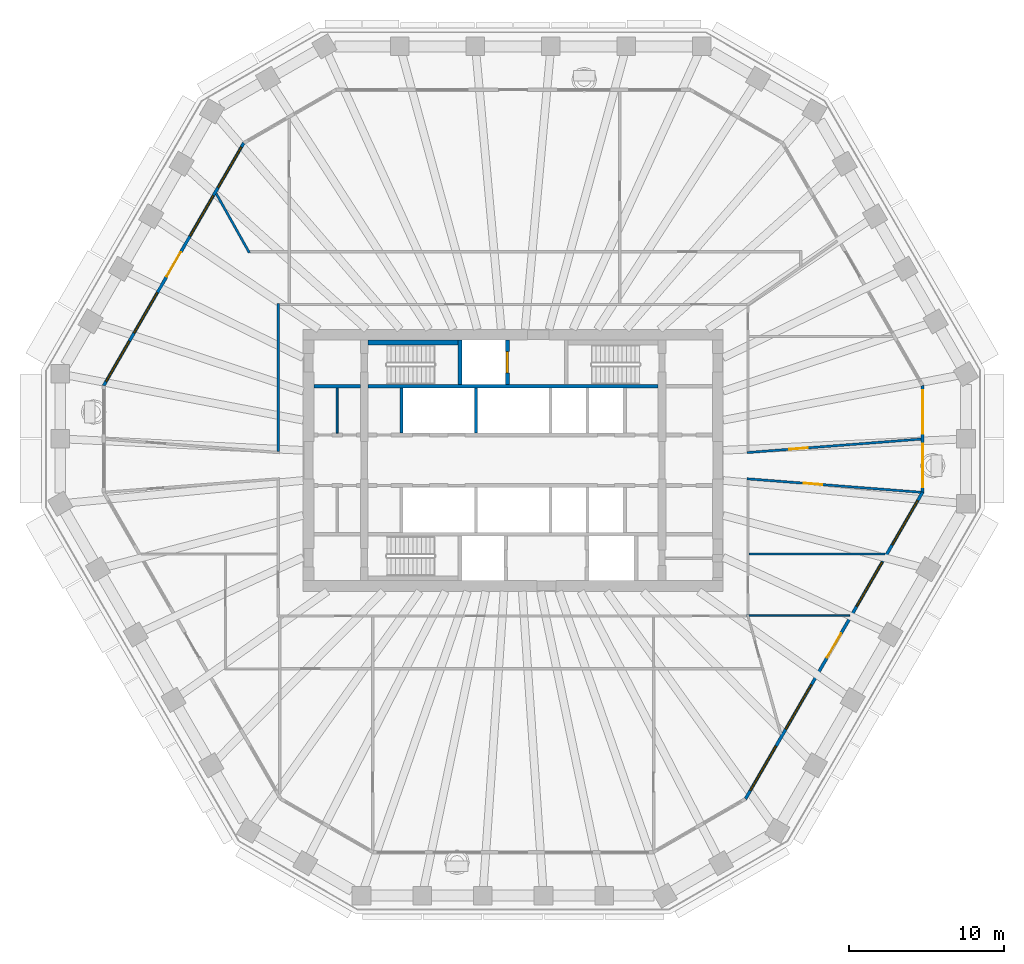
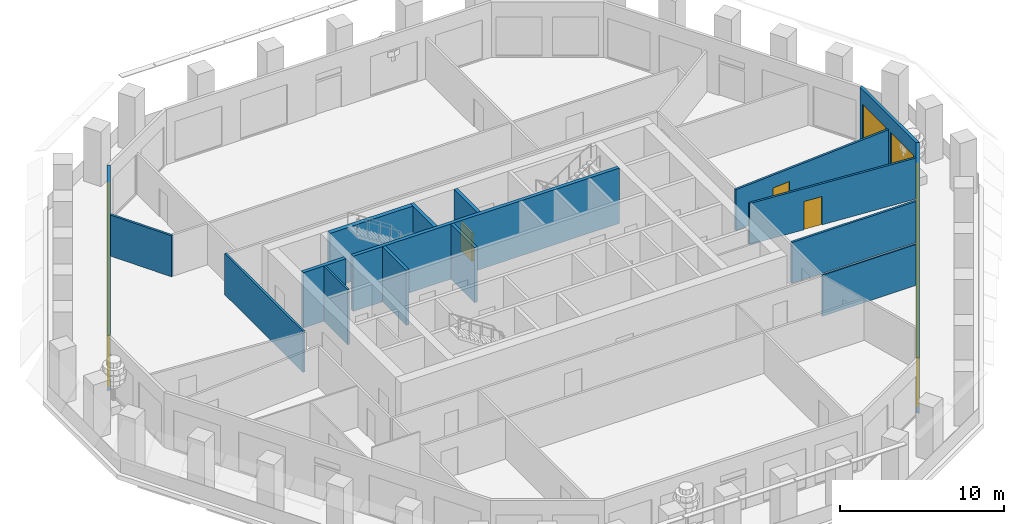
# One storey, part 6 of 12: 17 walls, 12 windows, 5 doors, 17 openings.
"""IFC4 building model written with IfcOpenShell, lengths in metres."""

from ifc_helpers import new_model, si_unit, direction, frame, frame_2d, origin, place, context, subcontext, project, spatial, polyline, rectangle, outline, extrude, material, layer, layer_set, type_object, element, fill, save


model = new_model("IFC4")

# Units and contexts
model_context = context("Model", 3, precision=1e-05, world=origin(), true_north=direction((0.0, 1.0)))
body_context = subcontext(model_context, "Body", "Model", "MODEL_VIEW")
ifc_project = project(units=[si_unit("LENGTHUNIT", "METRE"), si_unit("AREAUNIT", "SQUARE_METRE"), si_unit("VOLUMEUNIT", "CUBIC_METRE"), si_unit("PLANEANGLEUNIT", "RADIAN"), si_unit("MASSUNIT", "GRAM", prefix="KILO")], contexts=[model_context])

# Site, building, storey
site_placement = place(None, origin())
site = spatial("IfcSite", under=ifc_project, at=site_placement, CompositionType="ELEMENT")
building_placement = place(site_placement, origin())
building = spatial("IfcBuilding", under=site, at=building_placement, Name="Frailejon Research Tower", CompositionType="ELEMENT")
storey_placement = place(building_placement, frame((0.0, 0.0, 193.60009765625)))
storey = spatial("IfcBuildingStorey", under=building, at=storey_placement, Name="L42", CompositionType="ELEMENT", Elevation=193.60009765625)

# Walls
ifc_material_1 = material(Name="Plasterboard on steel studs", Category="steel")
ifc_layer_1 = layer(ifc_material_1, 0.125)
ifc_layer_set_1 = layer_set([ifc_layer_1], Name="Core partition 125")
wall_type_1 = type_object("IfcWallType", Name="Core partition 125", PredefinedType="PARTITIONING", material=ifc_layer_set_1)
wall_1_placement = place(storey_placement, frame((-11.35009765625, 1.75, 0.0), z_axis=(0.0, 0.0, 1.0), x_axis=(0.0, 1.0, 0.0)))
element("IfcWall", 1, at=wall_1_placement, inside=storey, type_object=wall_type_1, Name="Core partition", PredefinedType="PARTITIONING", context=body_context, shape_type="SweptSolid", body=[
    extrude(rectangle(XDim=2.89990234375, YDim=0.125, at=frame_2d((1.449951171875, 0.0))), origin(), (0.0, 0.0, 1.0), 4.099853515625),
])
ifc_material_2 = material(Name="Gypsum board and masonry partition", Category="masonry")
ifc_layer_2 = layer(ifc_material_2, 0.14990234375)
ifc_layer_set_2 = layer_set([ifc_layer_2], Name="Corridor wall EI 60, gypsum on steel studs 150")
wall_type_2 = type_object("IfcWallType", Name="Corridor wall EI 60, gypsum on steel studs 150", PredefinedType="PARTITIONING", material=ifc_layer_set_2)
wall_2_placement = place(storey_placement, frame((-15.14990234375, 0.57568359375, 0.0), z_axis=(0.0, 0.0, 1.0), x_axis=(0.0, 1.0, 0.0)))
element("IfcWall", 2, at=wall_2_placement, inside=storey, type_object=wall_type_2, Name="T:IW:L42:005", PredefinedType="PARTITIONING", context=body_context, shape_type="SweptSolid", body=[
    extrude(rectangle(XDim=9.54931640625, YDim=0.14990234375, at=frame_2d((4.774658203125, 0.0))), origin(), (0.0, 0.0, 1.0), 3.0498046875),
])

# Wall, opening, door
wall_3_placement = place(storey_placement, frame((15.0751953125, 0.494873046875, 0.0), z_axis=(0.0, 0.0, 1.0), x_axis=(0.996999820834, 0.077403858151, 0.0)))
wall_3 = element("IfcWall", 3, at=wall_3_placement, inside=storey, type_object=wall_type_2, Name="T:IW:L42:009", PredefinedType="PARTITIONING", context=body_context, shape_type="SweptSolid", body=[
    extrude(rectangle(XDim=11.26953125, YDim=0.14990234375, at=frame_2d((5.634765625, 0.0))), origin(), (0.0, 0.0, 1.0), 3.0498046875),
])
opening_1_placement = place(wall_3_placement, frame((2.748779296875, 0.0, 0.0)))
opening_1 = element("IfcOpeningElement", 4, at=opening_1_placement, cuts=wall_3, Name="Opening D1903", PredefinedType="OPENING", context=body_context, shape_type="SweptSolid", body=[
    extrude(rectangle(XDim=1.199951171875, YDim=2.10009765625, at=frame_2d((0.60009765625, 1.050048828125))), frame((0.0, 0.0849609375, 0.0), z_axis=(0.0, -1.0, 0.0), x_axis=(1.0, 0.0, 0.0)), (0.0, 0.0, 1.0), 0.169921875),
])
ifc_material_3 = material(Name="Timber door leaf", Category="wood")
door_type_1 = type_object("IfcDoorType", Name="Door laboratory, timber, vision panel 1200", OperationType="NOTDEFINED", PredefinedType="DOOR", material=ifc_material_3)
door_1_placement = place(opening_1_placement, origin())
door_1 = element("IfcDoor", 5, at=door_1_placement, inside=storey, type_object=door_type_1, Name="D1903", OperationType="DOUBLE_DOOR_SINGLE_SWING", OverallHeight=2.10009765625, OverallWidth=1.199951171875, PredefinedType="DOOR", context=body_context, shape_type="SweptSolid", body=[
    extrude(rectangle(XDim=1.199951171875, YDim=2.10009765625, at=frame_2d((0.60009765625, 1.050048828125))), frame((0.0, 0.02490234375, 0.0), z_axis=(0.0, -1.0, 0.0), x_axis=(1.0, 0.0, 0.0)), (0.0, 0.0, 1.0), 0.050048828125),
])
fill(opening_1, door_1)

wall_4_placement = place(storey_placement, frame((15.0751953125, -1.193603515625, 0.0), z_axis=(0.0, 0.0, 1.0), x_axis=(0.997000362213, -0.077396884614, 0.0)))
wall_4 = element("IfcWall", 6, at=wall_4_placement, inside=storey, type_object=wall_type_2, Name="T:IW:L42:010", PredefinedType="PARTITIONING", context=body_context, shape_type="SweptSolid", body=[
    extrude(rectangle(XDim=11.24853515625, YDim=0.14990234375, at=frame_2d((5.624267578125, 0.0))), origin(), (0.0, 0.0, 1.0), 3.0498046875),
])
opening_2_placement = place(wall_4_placement, frame((3.6708984375, 0.0, 0.0)))
opening_2 = element("IfcOpeningElement", 7, at=opening_2_placement, cuts=wall_4, Name="Opening D1922", PredefinedType="OPENING", context=body_context, shape_type="SweptSolid", body=[
    extrude(rectangle(XDim=1.199951171875, YDim=2.10009765625, at=frame_2d((0.60009765625, 1.050048828125))), frame((0.0, 0.0849609375, 0.0), z_axis=(0.0, -1.0, 0.0), x_axis=(1.0, 0.0, 0.0)), (0.0, 0.0, 1.0), 0.169921875),
])
door_2_placement = place(opening_2_placement, origin())
door_2 = element("IfcDoor", 8, at=door_2_placement, inside=storey, type_object=door_type_1, Name="D1922", OperationType="DOUBLE_DOOR_SINGLE_SWING", OverallHeight=2.10009765625, OverallWidth=1.199951171875, PredefinedType="DOOR", context=body_context, shape_type="SweptSolid", body=[
    extrude(rectangle(XDim=1.199951171875, YDim=2.10009765625, at=frame_2d((0.60009765625, 1.050048828125))), frame((0.0, 0.02490234375, 0.0), z_axis=(0.0, -1.0, 0.0), x_axis=(1.0, 0.0, 0.0)), (0.0, 0.0, 1.0), 0.050048828125),
])
fill(opening_2, door_2)

# Walls
ifc_material_4 = material(Name="Gypsum board and masonry partition", Category="masonry")
ifc_layer_3 = layer(ifc_material_4, 0.14990234375)
ifc_layer_set_3 = layer_set([ifc_layer_3], Name="Laboratory partition, blockwork 150")
wall_type_3 = type_object("IfcWallType", Name="Laboratory partition, blockwork 150", PredefinedType="PARTITIONING", material=ifc_layer_set_3)
wall_5_placement = place(storey_placement, frame((-19.15087890625, 17.195068359375, 0.0), z_axis=(0.0, 0.0, 1.0), x_axis=(0.48858294178, -0.872517454841, 0.0)))
element("IfcWall", 9, at=wall_5_placement, inside=storey, type_object=wall_type_3, Name="T:IW:L42:017", PredefinedType="PARTITIONING", context=body_context, shape_type="SweptSolid", body=[
    extrude(rectangle(XDim=4.3671875, YDim=0.14990234375, at=frame_2d((2.18359375, 0.0))), origin(), (0.0, 0.0, 1.0), 3.0498046875),
])
wall_6_placement = place(storey_placement, frame((15.22509765625, -6.048828125, 0.0), z_axis=(0.0, 0.0, 1.0), x_axis=(1.0, 0.0, 0.0)))
element("IfcWall", 10, at=wall_6_placement, inside=storey, type_object=wall_type_3, Name="T:IW:L42:023", PredefinedType="PARTITIONING", context=body_context, shape_type="SweptSolid", body=[
    extrude(rectangle(XDim=8.764404296875, YDim=0.14990234375, at=frame_2d((4.38232421875, 0.0))), origin(), (0.0, 0.0, 1.0), 3.0498046875),
])
ifc_material_5 = material(Name="Gypsum board and masonry partition", Category="masonry")
ifc_layer_4 = layer(ifc_material_5, 0.10009765625)
ifc_layer_set_4 = layer_set([ifc_layer_4], Name="Partition, gypsum on steel studs 100")
wall_type_4 = type_object("IfcWallType", Name="Partition, gypsum on steel studs 100", PredefinedType="PARTITIONING", material=ifc_layer_set_4)
wall_7_placement = place(storey_placement, frame((15.074951171875, -10.016357421875, 0.0), z_axis=(0.0, 0.0, 1.0), x_axis=(1.0, 0.0, 0.0)))
element("IfcWall", 11, at=wall_7_placement, inside=storey, type_object=wall_type_4, Name="T:IW:L42:029", PredefinedType="PARTITIONING", context=body_context, shape_type="SweptSolid", body=[
    extrude(rectangle(XDim=6.6240234375, YDim=0.10009765625, at=frame_2d((3.31201171875, 0.0))), origin(), (0.0, 0.0, 1.0), 3.0498046875),
])
ifc_material_6 = material(Name="Concrete C60/75", Category="concrete")
ifc_layer_5 = layer(ifc_material_6, 0.199951171875)
ifc_layer_set_5 = layer_set([ifc_layer_5], Name="Shaft wall 200 C60/75")
wall_type_5 = type_object("IfcWallType", Name="Shaft wall 200 C60/75", PredefinedType="SOLIDWALL", material=ifc_layer_set_5)
for number, where, z_axis, x_axis, name in (
    (12, (-7.199951171875, 1.75, 0.0), (0.0, 0.0, 1.0), (0.0, 1.0, 0.0), "Shaft wall"),
    (13, (-2.39990234375, 1.75, 0.0), (0.0, 0.0, 1.0), (0.0, 1.0, 0.0), "Shaft wall"),
):
    element("IfcWall", number, at=place(storey_placement, frame(where, z_axis=z_axis, x_axis=x_axis)), inside=storey, type_object=wall_type_5, Name=name, PredefinedType="SOLIDWALL", context=body_context, shape_type="SweptSolid", body=[
        extrude(rectangle(XDim=2.89990234375, YDim=0.199951171875, at=frame_2d((1.449951171875, 0.0))), origin(), (0.0, 0.0, 1.0), 4.099853515625),
    ])
ifc_material_7 = material(Name="Concrete C60/75", Category="concrete")
ifc_layer_6 = layer(ifc_material_7, 0.25)
ifc_layer_set_6 = layer_set([ifc_layer_6], Name="Shaft wall 250 C60/75")
wall_type_6 = type_object("IfcWallType", Name="Shaft wall 250 C60/75", PredefinedType="SOLIDWALL", material=ifc_layer_set_6)
wall_8_placement = place(storey_placement, frame((-12.85009765625, 4.77490234375, 0.0), z_axis=(0.0, 0.0, 1.0), x_axis=(1.0, 0.0, 0.0)))
element("IfcWall", 14, at=wall_8_placement, inside=storey, type_object=wall_type_6, Name="Shaft wall", PredefinedType="SOLIDWALL", context=body_context, shape_type="SweptSolid", body=[
    extrude(rectangle(XDim=3.0, YDim=0.25, at=frame_2d((1.5, 0.0))), origin(), (0.0, 0.0, 1.0), 4.099853515625),
])
wall_9_placement = place(storey_placement, frame((-9.35009765625, 4.77490234375, 0.0), z_axis=(0.0, 0.0, 1.0), x_axis=(1.0, 0.0, 0.0)))
element("IfcWall", 15, at=wall_9_placement, inside=storey, type_object=wall_type_6, Name="Shaft wall", PredefinedType="SOLIDWALL", context=body_context, shape_type="SweptSolid", body=[
    extrude(rectangle(XDim=18.7001953125, YDim=0.25, at=frame_2d((9.35009765625, 0.0))), origin(), (0.0, 0.0, 1.0), 4.099853515625),
])
wall_10_placement = place(storey_placement, frame((-3.425048828125, 4.89990234375, 0.0), z_axis=(0.0, 0.0, 1.0), x_axis=(0.0, 1.0, 0.0)))
element("IfcWall", 16, at=wall_10_placement, inside=storey, type_object=wall_type_6, Name="Shaft wall", PredefinedType="SOLIDWALL", context=body_context, shape_type="SweptSolid", body=[
    extrude(rectangle(XDim=2.85009765625, YDim=0.25, at=frame_2d((1.425048828125, 0.0))), origin(), (0.0, 0.0, 1.0), 4.099853515625),
])

# Wall, opening, door
wall_11_placement = place(storey_placement, frame((-0.375, 4.89990234375, 0.0), z_axis=(0.0, 0.0, 1.0), x_axis=(0.0, 1.0, 0.0)))
wall_11 = element("IfcWall", 17, at=wall_11_placement, inside=storey, type_object=wall_type_6, Name="Shaft wall", PredefinedType="SOLIDWALL", context=body_context, shape_type="SweptSolid", body=[
    extrude(rectangle(XDim=2.85009765625, YDim=0.25, at=frame_2d((1.425048828125, 0.0))), origin(), (0.0, 0.0, 1.0), 4.099853515625),
])
opening_3_placement = place(wall_11_placement, frame((0.72509765625, 0.0, 0.0)))
opening_3 = element("IfcOpeningElement", 18, at=opening_3_placement, cuts=wall_11, Name="Opening LD2", PredefinedType="OPENING", context=body_context, shape_type="SweptSolid", body=[
    extrude(rectangle(XDim=1.39990234375, YDim=2.10009765625, at=frame_2d((0.699951171875, 1.050048828125))), frame((0.0, 0.135009765625, 0.0), z_axis=(0.0, -1.0, 0.0), x_axis=(1.0, 0.0, 0.0)), (0.0, 0.0, 1.0), 0.27001953125),
])
ifc_material_8 = material(Name="Stainless steel", Category="steel")
door_type_2 = type_object("IfcDoorType", Name="Goods landing door", OperationType="DOUBLE_DOOR_SLIDING", PredefinedType="DOOR", material=ifc_material_8)
door_3_placement = place(opening_3_placement, origin())
door_3 = element("IfcDoor", 19, at=door_3_placement, inside=storey, type_object=door_type_2, Name="Lift landing door", OperationType="DOUBLE_DOOR_SLIDING", OverallHeight=2.10009765625, OverallWidth=1.39990234375, PredefinedType="DOOR", context=body_context, shape_type="SweptSolid", body=[
    extrude(rectangle(XDim=1.39990234375, YDim=2.10009765625, at=frame_2d((0.699951171875, 1.050048828125))), frame((0.0, 0.074951171875, 0.0), z_axis=(0.0, -1.0, 0.0), x_axis=(1.0, 0.0, 0.0)), (0.0, 0.0, 1.0), 0.14990234375),
])
fill(opening_3, door_3)

# Wall
ifc_material_9 = material(Name="Concrete C60/75", Category="concrete")
ifc_layer_7 = layer(ifc_material_9, 0.300048828125)
ifc_layer_set_7 = layer_set([ifc_layer_7], Name="Shaft wall 300 C60/75")
wall_type_7 = type_object("IfcWallType", Name="Shaft wall 300 C60/75", PredefinedType="SOLIDWALL", material=ifc_layer_set_7)
wall_12_placement = place(storey_placement, frame((-9.35009765625, 7.60009765625, 0.0), z_axis=(0.0, 0.0, 1.0), x_axis=(1.0, 0.0, 0.0)))
element("IfcWall", 20, at=wall_12_placement, inside=storey, type_object=wall_type_7, Name="Shaft wall", PredefinedType="SOLIDWALL", context=body_context, shape_type="SweptSolid", body=[
    extrude(rectangle(XDim=5.800048828125, YDim=0.300048828125, at=frame_2d((2.89990234375, 0.0))), origin(), (0.0, 0.0, 1.0), 4.099853515625),
])

# Wall, openings, windows
ifc_material_10 = material(Name="Concrete C40/50 precast window wall panel", Category="concrete")
ifc_layer_8 = layer(ifc_material_10, 0.199951171875)
ifc_layer_set_8 = layer_set([ifc_layer_8], Name="Window wall 200")
wall_type_8 = type_object("IfcWallType", Name="Window wall 200", PredefinedType="SOLIDWALL", material=ifc_layer_set_8)
wall_13_placement = place(storey_placement, frame((26.4111328125, -2.0546875, 0.0), z_axis=(0.0, 0.0, 1.0), x_axis=(0.0, 1.0, 0.0)))
wall_13 = element("IfcWall", 21, at=wall_13_placement, inside=storey, type_object=wall_type_8, Name="Exterior wall L42", PredefinedType="SOLIDWALL", context=body_context, shape_type="SweptSolid", body=[
    extrude(outline(polyline([(-0.02685546875, -0.10009765625), (1.1279296875, -0.10009765625), (2.28271484375, -0.10009765625), (3.4375, -0.10009765625), (4.592041015625, -0.10009765625), (5.746826171875, -0.10009765625), (6.901611328125, -0.10009765625), (6.847900390625, 0.10009765625), (5.7109375, 0.10009765625), (4.57421875, 0.10009765625), (3.4375, 0.10009765625), (2.300537109375, 0.10009765625), (1.16357421875, 0.10009765625), (0.02685546875, 0.10009765625), (-0.02685546875, -0.10009765625)])), origin(), (0.0, 0.0, 1.0), 4.099853515625),
])
opening_4_placement = place(wall_13_placement, frame((0.318603515625, 0.0, 0.10009765625)))
opening_4 = element("IfcOpeningElement", 22, at=opening_4_placement, cuts=wall_13, Name="Opening W3", PredefinedType="OPENING", context=body_context, shape_type="SweptSolid", body=[
    extrude(rectangle(XDim=2.800048828125, YDim=2.89990234375, at=frame_2d((1.39990234375, 1.449951171875))), frame((0.0, 0.10986328125, 0.0), z_axis=(0.0, -1.0, 0.0), x_axis=(1.0, 0.0, 0.0)), (0.0, 0.0, 1.0), 0.219970703125),
])
opening_5_placement = place(wall_13_placement, frame((3.756103515625, 0.0, 0.10009765625)))
opening_5 = element("IfcOpeningElement", 23, at=opening_5_placement, cuts=wall_13, Name="Opening W3", PredefinedType="OPENING", context=body_context, shape_type="SweptSolid", body=[
    extrude(rectangle(XDim=2.800048828125, YDim=2.89990234375, at=frame_2d((1.39990234375, 1.449951171875))), frame((0.0, 0.10986328125, 0.0), z_axis=(0.0, -1.0, 0.0), x_axis=(1.0, 0.0, 0.0)), (0.0, 0.0, 1.0), 0.219970703125),
])
ifc_material_11 = material(Name="Aluminium framed double glazing", Category="aluminium")
window_type_1 = type_object("IfcWindowType", Name="Window 2800x2900", PartitioningType="SINGLE_PANEL", PredefinedType="WINDOW", material=ifc_material_11)
window_1_placement = place(opening_4_placement, origin())
window_1 = element("IfcWindow", 24, at=window_1_placement, inside=storey, type_object=window_type_1, Name="Window L42", OverallHeight=2.89990234375, OverallWidth=2.800048828125, PartitioningType="SINGLE_PANEL", PredefinedType="WINDOW", context=body_context, shape_type="SweptSolid", body=[
    extrude(rectangle(XDim=2.800048828125, YDim=2.89990234375, at=frame_2d((1.39990234375, 1.449951171875))), frame((0.0, 0.030029296875, 0.0), z_axis=(0.0, -1.0, 0.0), x_axis=(1.0, 0.0, 0.0)), (0.0, 0.0, 1.0), 0.06005859375),
])
fill(opening_4, window_1)
window_2_placement = place(opening_5_placement, origin())
window_2 = element("IfcWindow", 25, at=window_2_placement, inside=storey, type_object=window_type_1, Name="Window L42", OverallHeight=2.89990234375, OverallWidth=2.800048828125, PartitioningType="SINGLE_PANEL", PredefinedType="WINDOW", context=body_context, shape_type="SweptSolid", body=[
    extrude(rectangle(XDim=2.800048828125, YDim=2.89990234375, at=frame_2d((1.39990234375, 1.449951171875))), frame((0.0, 0.030029296875, 0.0), z_axis=(0.0, -1.0, 0.0), x_axis=(1.0, 0.0, 0.0)), (0.0, 0.0, 1.0), 0.06005859375),
])
fill(opening_5, window_2)

# Wall, openings, door, windows
wall_14_placement = place(storey_placement, frame((-17.3798828125, 20.462646484375, 0.0), z_axis=(0.0, 0.0, 1.0), x_axis=(-0.500000137386, -0.866025324465, 0.0)))
wall_14 = element("IfcWall", 26, at=wall_14_placement, inside=storey, type_object=wall_type_8, Name="Exterior wall L42", PredefinedType="SOLIDWALL", context=body_context, shape_type="SweptSolid", body=[
    extrude(outline(polyline([(-0.02685546875, -0.10009765625), (0.9794921875, -0.10009765625), (1.986083984375, -0.10009765625), (2.992431640625, -0.10009765625), (3.9990234375, -0.10009765625), (5.00537109375, -0.10009765625), (6.011962890625, -0.10009765625), (7.018310546875, -0.10009765625), (8.02490234375, -0.10009765625), (9.03125, -0.10009765625), (10.03759765625, -0.10009765625), (11.044189453125, -0.10009765625), (12.050537109375, -0.10009765625), (13.05712890625, -0.10009765625), (14.0634765625, -0.10009765625), (15.070068359375, -0.10009765625), (16.076416015625, -0.10009765625), (17.0830078125, -0.10009765625), (18.08935546875, -0.10009765625), (18.03564453125, 0.10009765625), (17.03515625, 0.10009765625), (16.03466796875, 0.10009765625), (15.0341796875, 0.10009765625), (14.03369140625, 0.10009765625), (13.033203125, 0.10009765625), (12.03271484375, 0.10009765625), (11.0322265625, 0.10009765625), (10.03173828125, 0.10009765625), (9.03125, 0.10009765625), (8.03076171875, 0.10009765625), (7.0302734375, 0.10009765625), (6.02978515625, 0.10009765625), (5.029296875, 0.10009765625), (4.02880859375, 0.10009765625), (3.0283203125, 0.10009765625), (2.02783203125, 0.10009765625), (1.02734375, 0.10009765625), (0.02685546875, 0.10009765625), (-0.02685546875, -0.10009765625)])), origin(), (0.0, 0.0, 1.0), 4.099853515625),
])
opening_6_placement = place(wall_14_placement, frame((0.306396484375, 0.0, 0.10009765625)))
opening_6 = element("IfcOpeningElement", 27, at=opening_6_placement, cuts=wall_14, Name="Opening W4", PredefinedType="OPENING", context=body_context, shape_type="SweptSolid", body=[
    extrude(rectangle(XDim=3.0, YDim=2.89990234375, at=frame_2d((1.5, 1.449951171875))), frame((0.0, 0.10986328125, 0.0), z_axis=(0.0, -1.0, 0.0), x_axis=(1.0, 0.0, 0.0)), (0.0, 0.0, 1.0), 0.219970703125),
])
opening_7_placement = place(wall_14_placement, frame((3.918701171875, 0.0, 0.10009765625)))
opening_7 = element("IfcOpeningElement", 28, at=opening_7_placement, cuts=wall_14, Name="Opening W4", PredefinedType="OPENING", context=body_context, shape_type="SweptSolid", body=[
    extrude(rectangle(XDim=3.0, YDim=2.89990234375, at=frame_2d((1.5, 1.449951171875))), frame((0.0, 0.10986328125, 0.0), z_axis=(0.0, -1.0, 0.0), x_axis=(1.0, 0.0, 0.0)), (0.0, 0.0, 1.0), 0.219970703125),
])
opening_8_placement = place(wall_14_placement, frame((8.13134765625, 0.0, 0.0)))
opening_8 = element("IfcOpeningElement", 29, at=opening_8_placement, cuts=wall_14, Name="Opening LG42-3", PredefinedType="OPENING", context=body_context, shape_type="SweptSolid", body=[
    extrude(rectangle(XDim=1.800048828125, YDim=2.39990234375, at=frame_2d((0.89990234375, 1.199951171875))), frame((0.0, 0.10986328125, 0.0), z_axis=(0.0, -1.0, 0.0), x_axis=(1.0, 0.0, 0.0)), (0.0, 0.0, 1.0), 0.219970703125),
])
opening_9_placement = place(wall_14_placement, frame((8.13134765625, 0.0, 2.550048828125)))
opening_9 = element("IfcOpeningElement", 30, at=opening_9_placement, cuts=wall_14, Name="Opening W1", PredefinedType="OPENING", context=body_context, shape_type="SweptSolid", body=[
    extrude(rectangle(XDim=1.800048828125, YDim=0.449951171875, at=frame_2d((0.89990234375, 0.22509765625))), frame((0.0, 0.10986328125, 0.0), z_axis=(0.0, -1.0, 0.0), x_axis=(1.0, 0.0, 0.0)), (0.0, 0.0, 1.0), 0.219970703125),
])
opening_10_placement = place(wall_14_placement, frame((11.143798828125, 0.0, 0.10009765625)))
opening_10 = element("IfcOpeningElement", 31, at=opening_10_placement, cuts=wall_14, Name="Opening W4", PredefinedType="OPENING", context=body_context, shape_type="SweptSolid", body=[
    extrude(rectangle(XDim=3.0, YDim=2.89990234375, at=frame_2d((1.5, 1.449951171875))), frame((0.0, 0.10986328125, 0.0), z_axis=(0.0, -1.0, 0.0), x_axis=(1.0, 0.0, 0.0)), (0.0, 0.0, 1.0), 0.219970703125),
])
opening_11_placement = place(wall_14_placement, frame((14.75634765625, 0.0, 0.10009765625)))
opening_11 = element("IfcOpeningElement", 32, at=opening_11_placement, cuts=wall_14, Name="Opening W4", PredefinedType="OPENING", context=body_context, shape_type="SweptSolid", body=[
    extrude(rectangle(XDim=3.0, YDim=2.89990234375, at=frame_2d((1.5, 1.449951171875))), frame((0.0, 0.10986328125, 0.0), z_axis=(0.0, -1.0, 0.0), x_axis=(1.0, 0.0, 0.0)), (0.0, 0.0, 1.0), 0.219970703125),
])
ifc_material_12 = material(Name="Aluminium framed glazed door leaf", Category="aluminium")
door_type_3 = type_object("IfcDoorType", Name="Loggia door 1800x2400", OperationType="DOUBLE_DOOR_SINGLE_SWING", PredefinedType="DOOR", material=ifc_material_12)
door_4_placement = place(opening_8_placement, origin())
door_4 = element("IfcDoor", 33, at=door_4_placement, inside=storey, type_object=door_type_3, Name="Door LG42-3", OperationType="DOUBLE_DOOR_SINGLE_SWING", OverallHeight=2.39990234375, OverallWidth=1.800048828125, PredefinedType="DOOR", context=body_context, shape_type="SweptSolid", body=[
    extrude(rectangle(XDim=1.800048828125, YDim=2.39990234375, at=frame_2d((0.89990234375, 1.199951171875))), frame((0.0, 0.02490234375, 0.0), z_axis=(0.0, -1.0, 0.0), x_axis=(1.0, 0.0, 0.0)), (0.0, 0.0, 1.0), 0.050048828125),
])
fill(opening_8, door_4)
ifc_material_13 = material(Name="Aluminium framed double glazing", Category="aluminium")
window_type_2 = type_object("IfcWindowType", Name="Window 1800x450", PartitioningType="SINGLE_PANEL", PredefinedType="WINDOW", material=ifc_material_13)
window_3_placement = place(opening_9_placement, origin())
window_3 = element("IfcWindow", 34, at=window_3_placement, inside=storey, type_object=window_type_2, Name="Window L42", OverallHeight=0.449951171875, OverallWidth=1.800048828125, PartitioningType="SINGLE_PANEL", PredefinedType="WINDOW", context=body_context, shape_type="SweptSolid", body=[
    extrude(rectangle(XDim=1.800048828125, YDim=0.449951171875, at=frame_2d((0.89990234375, 0.22509765625))), frame((0.0, 0.030029296875, 0.0), z_axis=(0.0, -1.0, 0.0), x_axis=(1.0, 0.0, 0.0)), (0.0, 0.0, 1.0), 0.06005859375),
])
fill(opening_9, window_3)
ifc_material_14 = material(Name="Aluminium framed double glazing", Category="aluminium")
window_type_3 = type_object("IfcWindowType", Name="Window 3000x2900", PartitioningType="SINGLE_PANEL", PredefinedType="WINDOW", material=ifc_material_14)
window_4_placement = place(opening_6_placement, origin())
window_4 = element("IfcWindow", 35, at=window_4_placement, inside=storey, type_object=window_type_3, Name="Window L42", OverallHeight=2.89990234375, OverallWidth=3.0, PartitioningType="SINGLE_PANEL", PredefinedType="WINDOW", context=body_context, shape_type="SweptSolid", body=[
    extrude(rectangle(XDim=3.0, YDim=2.89990234375, at=frame_2d((1.5, 1.449951171875))), frame((0.0, 0.030029296875, 0.0), z_axis=(0.0, -1.0, 0.0), x_axis=(1.0, 0.0, 0.0)), (0.0, 0.0, 1.0), 0.06005859375),
])
fill(opening_6, window_4)
window_5_placement = place(opening_7_placement, origin())
window_5 = element("IfcWindow", 36, at=window_5_placement, inside=storey, type_object=window_type_3, Name="Window L42", OverallHeight=2.89990234375, OverallWidth=3.0, PartitioningType="SINGLE_PANEL", PredefinedType="WINDOW", context=body_context, shape_type="SweptSolid", body=[
    extrude(rectangle(XDim=3.0, YDim=2.89990234375, at=frame_2d((1.5, 1.449951171875))), frame((0.0, 0.030029296875, 0.0), z_axis=(0.0, -1.0, 0.0), x_axis=(1.0, 0.0, 0.0)), (0.0, 0.0, 1.0), 0.06005859375),
])
fill(opening_7, window_5)
window_6_placement = place(opening_10_placement, origin())
window_6 = element("IfcWindow", 37, at=window_6_placement, inside=storey, type_object=window_type_3, Name="Window L42", OverallHeight=2.89990234375, OverallWidth=3.0, PartitioningType="SINGLE_PANEL", PredefinedType="WINDOW", context=body_context, shape_type="SweptSolid", body=[
    extrude(rectangle(XDim=3.0, YDim=2.89990234375, at=frame_2d((1.5, 1.449951171875))), frame((0.0, 0.030029296875, 0.0), z_axis=(0.0, -1.0, 0.0), x_axis=(1.0, 0.0, 0.0)), (0.0, 0.0, 1.0), 0.06005859375),
])
fill(opening_10, window_6)
window_7_placement = place(opening_11_placement, origin())
window_7 = element("IfcWindow", 38, at=window_7_placement, inside=storey, type_object=window_type_3, Name="Window L42", OverallHeight=2.89990234375, OverallWidth=3.0, PartitioningType="SINGLE_PANEL", PredefinedType="WINDOW", context=body_context, shape_type="SweptSolid", body=[
    extrude(rectangle(XDim=3.0, YDim=2.89990234375, at=frame_2d((1.5, 1.449951171875))), frame((0.0, 0.030029296875, 0.0), z_axis=(0.0, -1.0, 0.0), x_axis=(1.0, 0.0, 0.0)), (0.0, 0.0, 1.0), 0.06005859375),
])
fill(opening_11, window_7)

wall_15_placement = place(storey_placement, frame((14.98486328125, -21.845458984375, 0.0), z_axis=(0.0, 0.0, 1.0), x_axis=(0.50000204422, 0.86602422355, 0.0)))
wall_15 = element("IfcWall", 39, at=wall_15_placement, inside=storey, type_object=wall_type_8, Name="Exterior wall L42", PredefinedType="SOLIDWALL", context=body_context, shape_type="SweptSolid", body=[
    extrude(outline(polyline([(-0.02685546875, -0.10009765625), (1.014404296875, -0.10009765625), (2.055419921875, -0.10009765625), (3.0966796875, -0.10009765625), (4.137939453125, -0.10009765625), (5.17919921875, -0.10009765625), (6.22021484375, -0.10009765625), (7.261474609375, -0.10009765625), (8.302734375, -0.10009765625), (9.343994140625, -0.10009765625), (10.385009765625, -0.10009765625), (11.42626953125, -0.10009765625), (12.467529296875, -0.10009765625), (13.508544921875, -0.10009765625), (14.5498046875, -0.10009765625), (15.591064453125, -0.10009765625), (16.63232421875, -0.10009765625), (17.67333984375, -0.10009765625), (18.714599609375, -0.10009765625), (19.755859375, -0.10009765625), (20.797119140625, -0.10009765625), (21.838134765625, -0.10009765625), (22.87939453125, -0.10009765625), (22.82568359375, 0.10009765625), (21.789306640625, 0.10009765625), (20.753173828125, 0.10009765625), (19.716796875, 0.10009765625), (18.680419921875, 0.10009765625), (17.64404296875, 0.10009765625), (16.60791015625, 0.10009765625), (15.571533203125, 0.10009765625), (14.53515625, 0.10009765625), (13.498779296875, 0.10009765625), (12.462646484375, 0.10009765625), (11.42626953125, 0.10009765625), (10.389892578125, 0.10009765625), (9.353759765625, 0.10009765625), (8.3173828125, 0.10009765625), (7.281005859375, 0.10009765625), (6.24462890625, 0.10009765625), (5.20849609375, 0.10009765625), (4.172119140625, 0.10009765625), (3.1357421875, 0.10009765625), (2.099365234375, 0.10009765625), (1.063232421875, 0.10009765625), (0.02685546875, 0.10009765625), (-0.02685546875, -0.10009765625)])), origin(), (0.0, 0.0, 1.0), 4.099853515625),
])
opening_12_placement = place(wall_15_placement, frame((0.63525390625, 0.0, 0.10009765625)))
opening_12 = element("IfcOpeningElement", 40, at=opening_12_placement, cuts=wall_15, Name="Opening W5", PredefinedType="OPENING", context=body_context, shape_type="SweptSolid", body=[
    extrude(rectangle(XDim=3.300048828125, YDim=2.89990234375, at=frame_2d((1.64990234375, 1.449951171875))), frame((0.0, 0.10986328125, 0.0), z_axis=(0.0, -1.0, 0.0), x_axis=(1.0, 0.0, 0.0)), (0.0, 0.0, 1.0), 0.219970703125),
])
opening_13_placement = place(wall_15_placement, frame((5.205810546875, 0.0, 0.10009765625)))
opening_13 = element("IfcOpeningElement", 41, at=opening_13_placement, cuts=wall_15, Name="Opening W5", PredefinedType="OPENING", context=body_context, shape_type="SweptSolid", body=[
    extrude(rectangle(XDim=3.300048828125, YDim=2.89990234375, at=frame_2d((1.64990234375, 1.449951171875))), frame((0.0, 0.10986328125, 0.0), z_axis=(0.0, -1.0, 0.0), x_axis=(1.0, 0.0, 0.0)), (0.0, 0.0, 1.0), 0.219970703125),
])
opening_14_placement = place(wall_15_placement, frame((10.5263671875, 0.0, 0.0)))
opening_14 = element("IfcOpeningElement", 42, at=opening_14_placement, cuts=wall_15, Name="Opening LG42-6", PredefinedType="OPENING", context=body_context, shape_type="SweptSolid", body=[
    extrude(rectangle(XDim=1.800048828125, YDim=2.39990234375, at=frame_2d((0.89990234375, 1.199951171875))), frame((0.0, 0.10986328125, 0.0), z_axis=(0.0, -1.0, 0.0), x_axis=(1.0, 0.0, 0.0)), (0.0, 0.0, 1.0), 0.219970703125),
])
opening_15_placement = place(wall_15_placement, frame((10.5263671875, 0.0, 2.550048828125)))
opening_15 = element("IfcOpeningElement", 43, at=opening_15_placement, cuts=wall_15, Name="Opening W1", PredefinedType="OPENING", context=body_context, shape_type="SweptSolid", body=[
    extrude(rectangle(XDim=1.800048828125, YDim=0.449951171875, at=frame_2d((0.89990234375, 0.22509765625))), frame((0.0, 0.10986328125, 0.0), z_axis=(0.0, -1.0, 0.0), x_axis=(1.0, 0.0, 0.0)), (0.0, 0.0, 1.0), 0.219970703125),
])
opening_16_placement = place(wall_15_placement, frame((14.3466796875, 0.0, 0.10009765625)))
opening_16 = element("IfcOpeningElement", 44, at=opening_16_placement, cuts=wall_15, Name="Opening W5", PredefinedType="OPENING", context=body_context, shape_type="SweptSolid", body=[
    extrude(rectangle(XDim=3.300048828125, YDim=2.89990234375, at=frame_2d((1.64990234375, 1.449951171875))), frame((0.0, 0.10986328125, 0.0), z_axis=(0.0, -1.0, 0.0), x_axis=(1.0, 0.0, 0.0)), (0.0, 0.0, 1.0), 0.219970703125),
])
opening_17_placement = place(wall_15_placement, frame((18.917236328125, 0.0, 0.10009765625)))
opening_17 = element("IfcOpeningElement", 45, at=opening_17_placement, cuts=wall_15, Name="Opening W5", PredefinedType="OPENING", context=body_context, shape_type="SweptSolid", body=[
    extrude(rectangle(XDim=3.300048828125, YDim=2.89990234375, at=frame_2d((1.64990234375, 1.449951171875))), frame((0.0, 0.10986328125, 0.0), z_axis=(0.0, -1.0, 0.0), x_axis=(1.0, 0.0, 0.0)), (0.0, 0.0, 1.0), 0.219970703125),
])
door_5_placement = place(opening_14_placement, origin())
door_5 = element("IfcDoor", 46, at=door_5_placement, inside=storey, type_object=door_type_3, Name="Door LG42-6", OperationType="DOUBLE_DOOR_SINGLE_SWING", OverallHeight=2.39990234375, OverallWidth=1.800048828125, PredefinedType="DOOR", context=body_context, shape_type="SweptSolid", body=[
    extrude(rectangle(XDim=1.800048828125, YDim=2.39990234375, at=frame_2d((0.89990234375, 1.199951171875))), frame((0.0, 0.02490234375, 0.0), z_axis=(0.0, -1.0, 0.0), x_axis=(1.0, 0.0, 0.0)), (0.0, 0.0, 1.0), 0.050048828125),
])
fill(opening_14, door_5)
window_8_placement = place(opening_15_placement, origin())
window_8 = element("IfcWindow", 47, at=window_8_placement, inside=storey, type_object=window_type_2, Name="Window L42", OverallHeight=0.449951171875, OverallWidth=1.800048828125, PartitioningType="SINGLE_PANEL", PredefinedType="WINDOW", context=body_context, shape_type="SweptSolid", body=[
    extrude(rectangle(XDim=1.800048828125, YDim=0.449951171875, at=frame_2d((0.89990234375, 0.22509765625))), frame((0.0, 0.030029296875, 0.0), z_axis=(0.0, -1.0, 0.0), x_axis=(1.0, 0.0, 0.0)), (0.0, 0.0, 1.0), 0.06005859375),
])
fill(opening_15, window_8)
ifc_material_15 = material(Name="Aluminium framed double glazing", Category="aluminium")
window_type_4 = type_object("IfcWindowType", Name="Window 3300x2900", PartitioningType="SINGLE_PANEL", PredefinedType="WINDOW", material=ifc_material_15)
window_9_placement = place(opening_12_placement, origin())
window_9 = element("IfcWindow", 48, at=window_9_placement, inside=storey, type_object=window_type_4, Name="Window L42", OverallHeight=2.89990234375, OverallWidth=3.300048828125, PartitioningType="SINGLE_PANEL", PredefinedType="WINDOW", context=body_context, shape_type="SweptSolid", body=[
    extrude(rectangle(XDim=3.300048828125, YDim=2.89990234375, at=frame_2d((1.64990234375, 1.449951171875))), frame((0.0, 0.030029296875, 0.0), z_axis=(0.0, -1.0, 0.0), x_axis=(1.0, 0.0, 0.0)), (0.0, 0.0, 1.0), 0.06005859375),
])
fill(opening_12, window_9)
window_10_placement = place(opening_13_placement, origin())
window_10 = element("IfcWindow", 49, at=window_10_placement, inside=storey, type_object=window_type_4, Name="Window L42", OverallHeight=2.89990234375, OverallWidth=3.300048828125, PartitioningType="SINGLE_PANEL", PredefinedType="WINDOW", context=body_context, shape_type="SweptSolid", body=[
    extrude(rectangle(XDim=3.300048828125, YDim=2.89990234375, at=frame_2d((1.64990234375, 1.449951171875))), frame((0.0, 0.030029296875, 0.0), z_axis=(0.0, -1.0, 0.0), x_axis=(1.0, 0.0, 0.0)), (0.0, 0.0, 1.0), 0.06005859375),
])
fill(opening_13, window_10)
window_11_placement = place(opening_16_placement, origin())
window_11 = element("IfcWindow", 50, at=window_11_placement, inside=storey, type_object=window_type_4, Name="Window L42", OverallHeight=2.89990234375, OverallWidth=3.300048828125, PartitioningType="SINGLE_PANEL", PredefinedType="WINDOW", context=body_context, shape_type="SweptSolid", body=[
    extrude(rectangle(XDim=3.300048828125, YDim=2.89990234375, at=frame_2d((1.64990234375, 1.449951171875))), frame((0.0, 0.030029296875, 0.0), z_axis=(0.0, -1.0, 0.0), x_axis=(1.0, 0.0, 0.0)), (0.0, 0.0, 1.0), 0.06005859375),
])
fill(opening_16, window_11)
window_12_placement = place(opening_17_placement, origin())
window_12 = element("IfcWindow", 51, at=window_12_placement, inside=storey, type_object=window_type_4, Name="Window L42", OverallHeight=2.89990234375, OverallWidth=3.300048828125, PartitioningType="SINGLE_PANEL", PredefinedType="WINDOW", context=body_context, shape_type="SweptSolid", body=[
    extrude(rectangle(XDim=3.300048828125, YDim=2.89990234375, at=frame_2d((1.64990234375, 1.449951171875))), frame((0.0, 0.030029296875, 0.0), z_axis=(0.0, -1.0, 0.0), x_axis=(1.0, 0.0, 0.0)), (0.0, 0.0, 1.0), 0.06005859375),
])
fill(opening_17, window_12)

save(model, "model.ifc")
